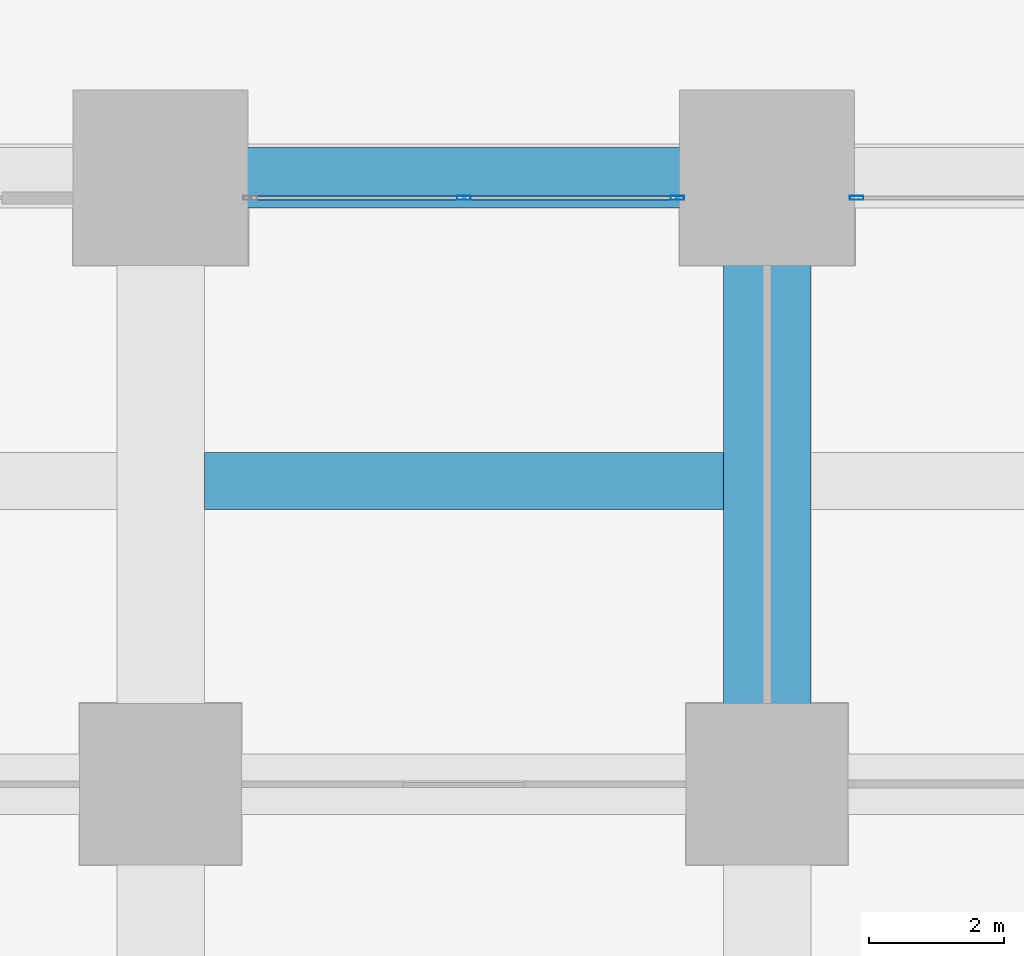
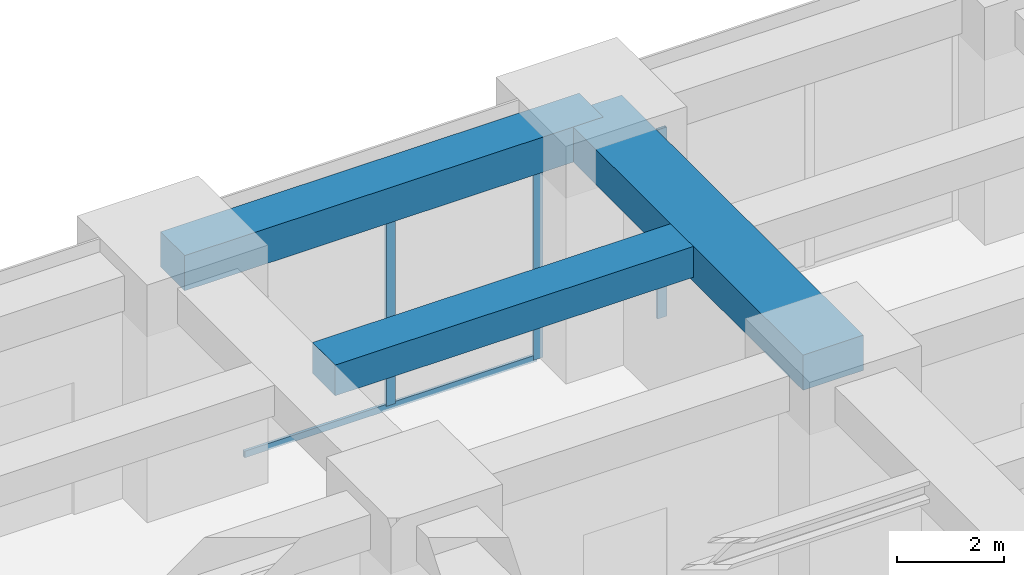
# One storey, part 27 of 56: 4 members, 3 beams, 2 elements without a shape of their own.
"""IFC4 building model written with IfcOpenShell, lengths in metres."""

from ifc_helpers import new_model, si_unit, direction, frame, origin, origin_2d, place, context, subcontext, project, spatial, rectangle, hollow_rectangle, extrude, material, material_profile, profile_set, type_object, element, aggregate, save


model = new_model("IFC4")

# Units and contexts
model_context = context("Model", 3, precision=1e-05, world=origin(), true_north=direction((0.0, 1.0)))
body_context = subcontext(model_context, "Body", "Model", "MODEL_VIEW")
ifc_project = project(units=[si_unit("LENGTHUNIT", "METRE"), si_unit("AREAUNIT", "SQUARE_METRE"), si_unit("VOLUMEUNIT", "CUBIC_METRE"), si_unit("PLANEANGLEUNIT", "RADIAN"), si_unit("MASSUNIT", "GRAM", prefix="KILO")], contexts=[model_context])

# Site, building, storey
site_placement = place(None, origin())
site = spatial("IfcSite", under=ifc_project, at=site_placement, CompositionType="ELEMENT")
building_placement = place(site_placement, origin())
building = spatial("IfcBuilding", under=site, at=building_placement, Name="Zorevar Civic Tower", CompositionType="ELEMENT")
storey_placement = place(building_placement, origin())
storey = spatial("IfcBuildingStorey", under=building, at=storey_placement, Name="L00", CompositionType="ELEMENT", Elevation=0.0)

# Beams
ifc_material_1 = material(Name="Concrete C50/60", Category="concrete")
ifc_material_profile_1 = material_profile(ifc_material_1, rectangle(XDim=1.300048828125, YDim=0.800048828125, at=origin_2d()), Name="RC 1300x800")
ifc_profile_set_1 = profile_set([ifc_material_profile_1], Name="Concrete C50/60")
beam_type_1 = type_object("IfcBeamType", Name="Beam RC 1300x800", PredefinedType="BEAM", material=ifc_profile_set_1)
beam_1_placement = place(storey_placement, frame((45.0, 45.0, 4.699951171875), z_axis=(0.0, 1.0, 0.0), x_axis=(-1.0, 0.0, 0.0)))
element("IfcBeam", 1, at=beam_1_placement, inside=storey, type_object=beam_type_1, Name="Girder L01", PredefinedType="BEAM", context=body_context, shape_type="SweptSolid", body=[
    extrude(rectangle(XDim=1.300048828125, YDim=0.800048828125, at=origin_2d()), origin(), (0.0, 0.0, 1.0), 9.0),
])
ifc_material_2 = material(Name="Concrete C50/60", Category="concrete")
ifc_material_profile_2 = material_profile(ifc_material_2, rectangle(XDim=0.85009765625, YDim=0.699951171875, at=origin_2d()), Name="RC 850x700")
ifc_profile_set_2 = profile_set([ifc_material_profile_2], Name="Concrete C50/60")
beam_type_2 = type_object("IfcBeamType", Name="Beam RC 850x700", PredefinedType="BEAM", material=ifc_profile_set_2)
beam_2_placement = place(storey_placement, frame((36.64990234375, 49.5, 4.75), z_axis=(1.0, 0.0, 0.0), x_axis=(0.0, 1.0, 0.0)))
element("IfcBeam", 2, at=beam_2_placement, inside=storey, type_object=beam_type_2, Name="Secondary beam L01", PredefinedType="BEAM", context=body_context, shape_type="SweptSolid", body=[
    extrude(rectangle(XDim=0.85009765625, YDim=0.699951171875, at=origin_2d()), origin(), (0.0, 0.0, 1.0), 7.7001953125),
])

# Curtain wall, members
ifc_material_3 = material(Name="Dark grey solar-control glass in black aluminium frame", Category="aluminium")
curtain_wall_type = type_object("IfcCurtainWallType", Name="Curtain wall CW1 podium", PredefinedType="NOTDEFINED", material=ifc_material_3)
curtain_wall_1_placement = place(storey_placement, origin())
curtain_wall_1 = element("IfcCurtainWall", 3, at=curtain_wall_1_placement, inside=storey, type_object=curtain_wall_type, Name="CW1 L00", PredefinedType="NOTDEFINED")
ifc_material_4 = material(Name="Aluminium, black anodised", Category="aluminium")
ifc_material_profile_3 = material_profile(ifc_material_4, hollow_rectangle(XDim=0.06005859375, YDim=0.199951171875, WallThickness=0.00390625, at=origin_2d()), Name="AL 200x60x4")
ifc_profile_set_3 = profile_set([ifc_material_profile_3], Name="Aluminium, black anodised")
member_type_1 = type_object("IfcMemberType", Name="CW1 mullion AL 200x60x4", PredefinedType="MULLION", material=ifc_profile_set_3)
member_1_placement = place(storey_placement, frame((40.5, 53.699951171875, 0.06005859375), z_axis=(0.0, 0.0, 1.0), x_axis=(0.0, 1.0, 0.0)))
member_1 = element("IfcMember", 4, at=member_1_placement, type_object=member_type_1, Name="CW1 mullion 2", PredefinedType="MULLION", context=body_context, shape_type="SweptSolid", body=[
    extrude(hollow_rectangle(XDim=0.06005859375, YDim=0.199951171875, WallThickness=0.00390625, at=origin_2d()), origin(), (0.0, 0.0, 1.0), 4.239990234375),
])
member_2_placement = place(storey_placement, frame((43.669921875, 53.699951171875, 0.0), z_axis=(0.0, 0.0, 1.0), x_axis=(0.0, 1.0, 0.0)))
member_2 = element("IfcMember", 5, at=member_2_placement, type_object=member_type_1, Name="CW1 mullion 3", PredefinedType="MULLION", context=body_context, shape_type="SweptSolid", body=[
    extrude(hollow_rectangle(XDim=0.06005859375, YDim=0.199951171875, WallThickness=0.00390625, at=origin_2d()), origin(), (0.0, 0.0, 1.0), 4.300048828125),
])

# Curtain wall, member
curtain_wall_2_placement = place(storey_placement, origin())
curtain_wall_2 = element("IfcCurtainWall", 6, at=curtain_wall_2_placement, inside=storey, type_object=curtain_wall_type, Name="CW1 L00", PredefinedType="NOTDEFINED")
member_3_placement = place(storey_placement, frame((46.330078125, 53.699951171875, 0.0), z_axis=(0.0, 0.0, 1.0), x_axis=(0.0, 1.0, 0.0)))
member_3 = element("IfcMember", 7, at=member_3_placement, type_object=member_type_1, Name="CW1 mullion 1", PredefinedType="MULLION", context=body_context, shape_type="SweptSolid", body=[
    extrude(hollow_rectangle(XDim=0.06005859375, YDim=0.199951171875, WallThickness=0.00390625, at=origin_2d()), origin(), (0.0, 0.0, 1.0), 4.300048828125),
])
aggregate(curtain_wall_2, [member_3])

# Member
ifc_material_5 = material(Name="Aluminium, black anodised", Category="aluminium")
ifc_material_profile_4 = material_profile(ifc_material_5, hollow_rectangle(XDim=0.06005859375, YDim=0.14990234375, WallThickness=0.00390625, at=origin_2d()), Name="AL 150x60x4")
ifc_profile_set_4 = profile_set([ifc_material_profile_4], Name="Aluminium, black anodised")
member_type_2 = type_object("IfcMemberType", Name="CW1 transom AL 150x60x4", PredefinedType="USERDEFINED", material=ifc_profile_set_4)
member_4_placement = place(storey_placement, frame((37.360107421875, 53.699951171875, 0.030029296875), z_axis=(1.0, 0.0, 0.0), x_axis=(0.0, 1.0, 0.0)))
member_4 = element("IfcMember", 8, at=member_4_placement, type_object=member_type_2, Name="CW1 sill transom", ObjectType="TRANSOM", PredefinedType="USERDEFINED", context=body_context, shape_type="SweptSolid", body=[
    extrude(hollow_rectangle(XDim=0.06005859375, YDim=0.14990234375, WallThickness=0.00390625, at=origin_2d()), origin(), (0.0, 0.0, 1.0), 6.27978515625),
])

aggregate(curtain_wall_1, [member_1, member_2, member_4])

# Beam
ifc_material_6 = material(Name="Concrete C50/60", Category="concrete")
ifc_material_profile_5 = material_profile(ifc_material_6, rectangle(XDim=0.89990234375, YDim=0.800048828125, at=origin_2d()), Name="RC 900x800")
ifc_profile_set_5 = profile_set([ifc_material_profile_5], Name="Concrete C50/60")
beam_type_3 = type_object("IfcBeamType", Name="Edge beam RC 900x800", PredefinedType="SPANDREL", material=ifc_profile_set_5)
beam_3_placement = place(storey_placement, frame((36.0, 54.0, 4.699951171875), z_axis=(1.0, 0.0, 0.0), x_axis=(0.0, 1.0, 0.0)))
element("IfcBeam", 9, at=beam_3_placement, inside=storey, type_object=beam_type_3, Name="Edge beam L01", PredefinedType="SPANDREL", context=body_context, shape_type="SweptSolid", body=[
    extrude(rectangle(XDim=0.89990234375, YDim=0.800048828125, at=origin_2d()), origin(), (0.0, 0.0, 1.0), 9.0),
])

save(model, "model.ifc")
